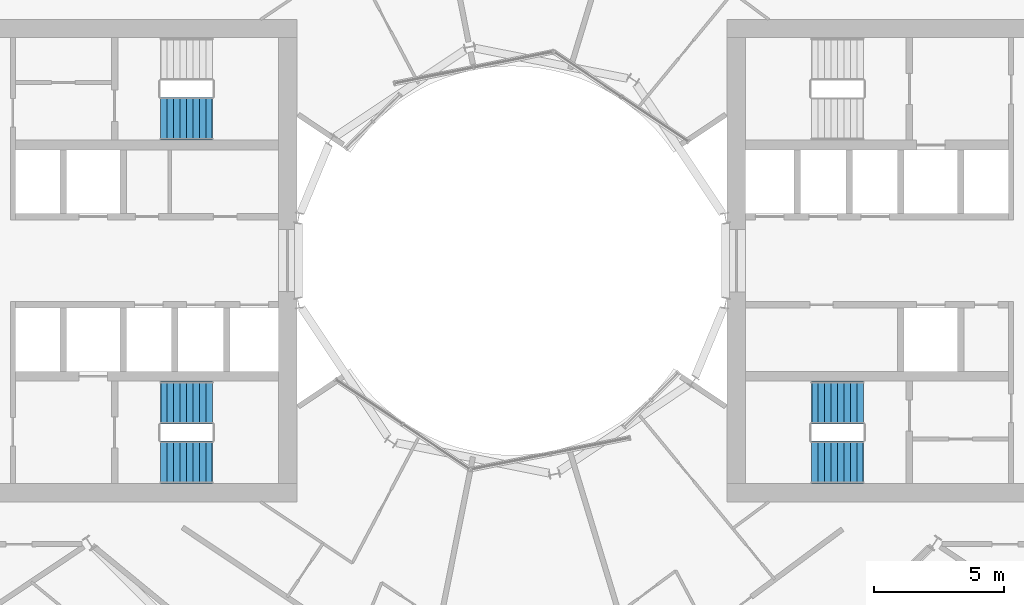
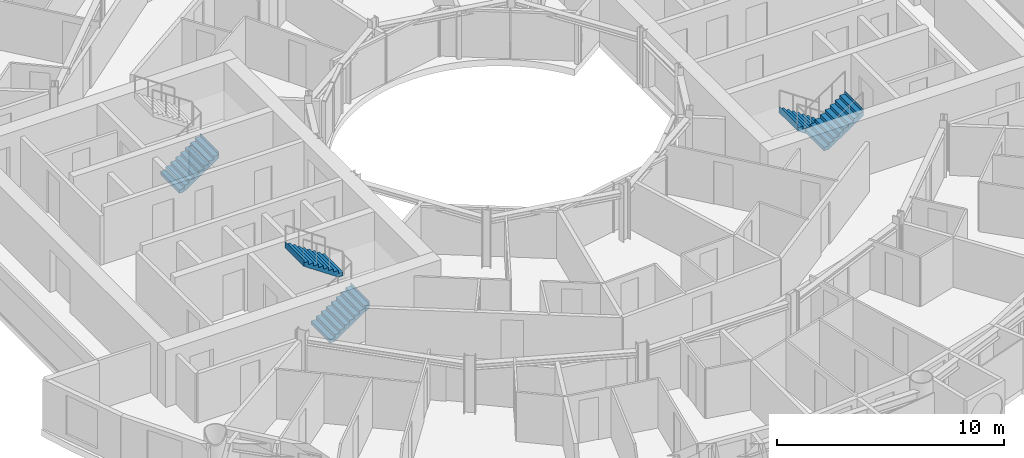
# One storey, part 23 of 25: 5 stair flights, 3 elements without a shape of their own.
"""IFC4 building model written with IfcOpenShell, lengths in metres."""

from ifc_helpers import new_model, si_unit, direction, frame, origin, place, context, subcontext, project, spatial, triangles, material, type_object, element, aggregate, save


model = new_model("IFC4")

# Units and contexts
model_context = context("Model", 3, precision=1e-05, world=origin(), true_north=direction((0.0, 1.0)))
body_context = subcontext(model_context, "Body", "Model", "MODEL_VIEW")
ifc_project = project(units=[si_unit("LENGTHUNIT", "METRE"), si_unit("AREAUNIT", "SQUARE_METRE"), si_unit("VOLUMEUNIT", "CUBIC_METRE"), si_unit("PLANEANGLEUNIT", "RADIAN"), si_unit("MASSUNIT", "GRAM", prefix="KILO")], contexts=[model_context])

# Site, building, storey
site_placement = place(None, origin())
site = spatial("IfcSite", under=ifc_project, at=site_placement, CompositionType="ELEMENT")
building_placement = place(site_placement, origin())
building = spatial("IfcBuilding", under=site, at=building_placement, Name="Maasbend Ring Residences", CompositionType="ELEMENT")
storey_placement = place(building_placement, frame((0.0, 0.0, 94.10009765625)))
storey = spatial("IfcBuildingStorey", under=building, at=storey_placement, Name="L27", CompositionType="ELEMENT", Elevation=94.10009765625)

# Stair, stair flights
ifc_material_1 = material(Name="Concrete C40/50", Category="concrete")
stair_type = type_object("IfcStairType", Name="CORE STAIR 18 RISERS", PredefinedType="HALF_TURN_STAIR", material=ifc_material_1)
stair_1_placement = place(storey_placement, origin())
stair_1 = element("IfcStair", 1, at=stair_1_placement, inside=storey, type_object=stair_type, Name="L27 Exit stair ST-E2", PredefinedType="HALF_TURN_STAIR")
ifc_material_2 = material(Name="Concrete C40/50", Category="concrete")
stair_flight_type = type_object("IfcStairFlightType", Name="CORE STAIR FLIGHT 1650", PredefinedType="STRAIGHT", material=ifc_material_2)
stair_flight_1_placement = place(storey_placement, frame((13.550048828125, -5.47509765625, 0.0), z_axis=(0.0, 0.0, 1.0), x_axis=(-1.0, 0.0, 0.0)))
stair_flight_1 = element("IfcStairFlight", 2, at=stair_flight_1_placement, type_object=stair_flight_type, Name="ST-E2 flight 1", NumberOfRisers=9, NumberOfTreads=8, PredefinedType="STRAIGHT", RiserHeight=0.169444444, TreadLength=0.25, context=body_context, shape_type="Tessellation", body=[
    triangles([(0.24072265625, 0.824951171875, -0.02001953125), (2.0029296875, 0.824951171875, 1.174560546875), (2.0029296875, 0.824951171875, 1.52490234375), (1.989990234375, 0.824951171875, 1.35546875), (1.75, 0.824951171875, 1.35546875), (1.75, 0.824951171875, 1.18603515625), (1.5, 0.824951171875, 1.18603515625), (1.5, 0.824951171875, 1.0166015625), (1.25, 0.824951171875, 1.0166015625), (1.25, 0.824951171875, 0.84716796875), (1.0, 0.824951171875, 0.84716796875), (1.0, 0.824951171875, 0.677734375), (0.75, 0.824951171875, 0.677734375), (0.75, 0.824951171875, 0.50830078125), (0.5, 0.824951171875, 0.50830078125), (0.5, 0.824951171875, 0.3388671875), (0.25, 0.824951171875, 0.3388671875), (0.25, 0.824951171875, 0.16943359375), (0.0, 0.824951171875, 0.16943359375), (0.0, 0.824951171875, 0.0), (-0.0029296875, 0.824951171875, 0.0), (-0.0029296875, 0.824951171875, -0.02001953125), (0.24072265625, 0.27490234375, -0.02001953125), (2.0029296875, 0.27490234375, 1.174560546875), (2.0029296875, 0.27490234375, 1.52490234375), (1.989990234375, 0.27490234375, 1.35546875), (1.75, 0.27490234375, 1.35546875), (1.75, 0.27490234375, 1.18603515625), (1.5, 0.27490234375, 1.18603515625), (1.5, 0.27490234375, 1.0166015625), (1.25, 0.27490234375, 1.0166015625), (1.25, 0.27490234375, 0.84716796875), (1.0, 0.27490234375, 0.84716796875), (1.0, 0.27490234375, 0.677734375), (0.75, 0.27490234375, 0.677734375), (0.75, 0.27490234375, 0.50830078125), (0.5, 0.27490234375, 0.50830078125), (0.5, 0.27490234375, 0.3388671875), (0.25, 0.27490234375, 0.3388671875), (0.25, 0.27490234375, 0.16943359375), (0.0, 0.27490234375, 0.16943359375), (0.0, 0.27490234375, 0.0), (-0.0029296875, 0.27490234375, 0.0), (-0.0029296875, 0.27490234375, -0.02001953125), (0.24072265625, -0.27490234375, -0.02001953125), (2.0029296875, -0.27490234375, 1.174560546875), (2.0029296875, -0.27490234375, 1.52490234375), (1.989990234375, -0.27490234375, 1.35546875), (1.75, -0.27490234375, 1.35546875), (1.75, -0.27490234375, 1.18603515625), (1.5, -0.27490234375, 1.18603515625), (1.5, -0.27490234375, 1.0166015625), (1.25, -0.27490234375, 1.0166015625), (1.25, -0.27490234375, 0.84716796875), (1.0, -0.27490234375, 0.84716796875), (1.0, -0.27490234375, 0.677734375), (0.75, -0.27490234375, 0.677734375), (0.75, -0.27490234375, 0.50830078125), (0.5, -0.27490234375, 0.50830078125), (0.5, -0.27490234375, 0.3388671875), (0.25, -0.27490234375, 0.3388671875), (0.25, -0.27490234375, 0.16943359375), (0.0, -0.27490234375, 0.16943359375), (0.0, -0.27490234375, 0.0), (-0.0029296875, -0.27490234375, 0.0), (-0.0029296875, -0.27490234375, -0.02001953125), (0.24072265625, -0.824951171875, -0.02001953125), (2.0029296875, -0.824951171875, 1.174560546875), (2.0029296875, -0.824951171875, 1.52490234375), (1.989990234375, -0.824951171875, 1.35546875), (1.75, -0.824951171875, 1.35546875), (1.75, -0.824951171875, 1.18603515625), (1.5, -0.824951171875, 1.18603515625), (1.5, -0.824951171875, 1.0166015625), (1.25, -0.824951171875, 1.0166015625), (1.25, -0.824951171875, 0.84716796875), (1.0, -0.824951171875, 0.84716796875), (1.0, -0.824951171875, 0.677734375), (0.75, -0.824951171875, 0.677734375), (0.75, -0.824951171875, 0.50830078125), (0.5, -0.824951171875, 0.50830078125), (0.5, -0.824951171875, 0.3388671875), (0.25, -0.824951171875, 0.3388671875), (0.25, -0.824951171875, 0.16943359375), (0.0, -0.824951171875, 0.16943359375), (0.0, -0.824951171875, 0.0), (-0.0029296875, -0.824951171875, 0.0), (-0.0029296875, -0.824951171875, -0.02001953125)], [[1, 2, 24], [1, 24, 23], [23, 24, 46], [23, 46, 45], [45, 46, 68], [45, 68, 67], [2, 3, 25], [2, 25, 24], [24, 25, 47], [24, 47, 46], [46, 47, 69], [46, 69, 68], [3, 4, 26], [3, 26, 25], [25, 26, 48], [25, 48, 47], [47, 48, 70], [47, 70, 69], [4, 5, 27], [4, 27, 26], [26, 27, 49], [26, 49, 48], [48, 49, 71], [48, 71, 70], [5, 6, 28], [5, 28, 27], [27, 28, 50], [27, 50, 49], [49, 50, 72], [49, 72, 71], [6, 7, 29], [6, 29, 28], [28, 29, 51], [28, 51, 50], [50, 51, 73], [50, 73, 72], [7, 8, 30], [7, 30, 29], [29, 30, 52], [29, 52, 51], [51, 52, 74], [51, 74, 73], [8, 9, 31], [8, 31, 30], [30, 31, 53], [30, 53, 52], [52, 53, 75], [52, 75, 74], [9, 10, 32], [9, 32, 31], [31, 32, 54], [31, 54, 53], [53, 54, 76], [53, 76, 75], [10, 11, 33], [10, 33, 32], [32, 33, 55], [32, 55, 54], [54, 55, 77], [54, 77, 76], [11, 12, 34], [11, 34, 33], [33, 34, 56], [33, 56, 55], [55, 56, 78], [55, 78, 77], [12, 13, 35], [12, 35, 34], [34, 35, 57], [34, 57, 56], [56, 57, 79], [56, 79, 78], [13, 14, 36], [13, 36, 35], [35, 36, 58], [35, 58, 57], [57, 58, 80], [57, 80, 79], [14, 15, 37], [14, 37, 36], [36, 37, 59], [36, 59, 58], [58, 59, 81], [58, 81, 80], [15, 16, 38], [15, 38, 37], [37, 38, 60], [37, 60, 59], [59, 60, 82], [59, 82, 81], [16, 17, 39], [16, 39, 38], [38, 39, 61], [38, 61, 60], [60, 61, 83], [60, 83, 82], [17, 18, 40], [17, 40, 39], [39, 40, 62], [39, 62, 61], [61, 62, 84], [61, 84, 83], [18, 19, 41], [18, 41, 40], [40, 41, 63], [40, 63, 62], [62, 63, 85], [62, 85, 84], [19, 20, 42], [19, 42, 41], [41, 42, 64], [41, 64, 63], [63, 64, 86], [63, 86, 85], [20, 21, 43], [20, 43, 42], [42, 43, 65], [42, 65, 64], [64, 65, 87], [64, 87, 86], [21, 22, 44], [21, 44, 43], [43, 44, 66], [43, 66, 65], [65, 66, 88], [65, 88, 87], [22, 1, 23], [22, 23, 44], [44, 23, 45], [44, 45, 66], [66, 45, 67], [66, 67, 88], [22, 2, 1], [2, 4, 3], [2, 5, 4], [2, 6, 5], [22, 6, 2], [6, 8, 7], [22, 8, 6], [8, 10, 9], [22, 10, 8], [10, 12, 11], [22, 12, 10], [12, 14, 13], [22, 14, 12], [14, 16, 15], [22, 16, 14], [16, 18, 17], [22, 18, 16], [18, 20, 19], [22, 20, 18], [20, 22, 21], [88, 67, 68], [68, 69, 70], [68, 70, 71], [68, 71, 72], [88, 68, 72], [72, 73, 74], [88, 72, 74], [74, 75, 76], [88, 74, 76], [76, 77, 78], [88, 76, 78], [78, 79, 80], [88, 78, 80], [80, 81, 82], [88, 80, 82], [82, 83, 84], [88, 82, 84], [84, 85, 86], [88, 84, 86], [86, 87, 88]], closed=True),
])
stair_flight_2_placement = place(storey_placement, frame((11.550048828125, -7.77490234375, 1.52490234375), z_axis=(0.0, 0.0, 1.0), x_axis=(1.0, 0.0, 0.0)))
stair_flight_2 = element("IfcStairFlight", 3, at=stair_flight_2_placement, type_object=stair_flight_type, Name="ST-E2 flight 2", NumberOfRisers=9, NumberOfTreads=8, PredefinedType="STRAIGHT", RiserHeight=0.169444444, TreadLength=0.25, context=body_context, shape_type="Tessellation", body=[
    triangles([(0.24072265625, 0.824951171875, -0.02001953125), (2.0029296875, 0.824951171875, 1.174560546875), (2.0029296875, 0.824951171875, 1.52490234375), (1.989990234375, 0.824951171875, 1.35546875), (1.75, 0.824951171875, 1.35546875), (1.75, 0.824951171875, 1.18603515625), (1.5, 0.824951171875, 1.18603515625), (1.5, 0.824951171875, 1.0166015625), (1.25, 0.824951171875, 1.0166015625), (1.25, 0.824951171875, 0.84716796875), (1.0, 0.824951171875, 0.84716796875), (1.0, 0.824951171875, 0.677734375), (0.75, 0.824951171875, 0.677734375), (0.75, 0.824951171875, 0.50830078125), (0.5, 0.824951171875, 0.50830078125), (0.5, 0.824951171875, 0.3388671875), (0.25, 0.824951171875, 0.3388671875), (0.25, 0.824951171875, 0.16943359375), (0.0, 0.824951171875, 0.16943359375), (0.0, 0.824951171875, 0.0), (-0.0029296875, 0.824951171875, 0.0), (-0.0029296875, 0.824951171875, -0.02001953125), (0.24072265625, 0.27490234375, -0.02001953125), (2.0029296875, 0.27490234375, 1.174560546875), (2.0029296875, 0.27490234375, 1.52490234375), (1.989990234375, 0.27490234375, 1.35546875), (1.75, 0.27490234375, 1.35546875), (1.75, 0.27490234375, 1.18603515625), (1.5, 0.27490234375, 1.18603515625), (1.5, 0.27490234375, 1.0166015625), (1.25, 0.27490234375, 1.0166015625), (1.25, 0.27490234375, 0.84716796875), (1.0, 0.27490234375, 0.84716796875), (1.0, 0.27490234375, 0.677734375), (0.75, 0.27490234375, 0.677734375), (0.75, 0.27490234375, 0.50830078125), (0.5, 0.27490234375, 0.50830078125), (0.5, 0.27490234375, 0.3388671875), (0.25, 0.27490234375, 0.3388671875), (0.25, 0.27490234375, 0.16943359375), (0.0, 0.27490234375, 0.16943359375), (0.0, 0.27490234375, 0.0), (-0.0029296875, 0.27490234375, 0.0), (-0.0029296875, 0.27490234375, -0.02001953125), (0.24072265625, -0.27490234375, -0.02001953125), (2.0029296875, -0.27490234375, 1.174560546875), (2.0029296875, -0.27490234375, 1.52490234375), (1.989990234375, -0.27490234375, 1.35546875), (1.75, -0.27490234375, 1.35546875), (1.75, -0.27490234375, 1.18603515625), (1.5, -0.27490234375, 1.18603515625), (1.5, -0.27490234375, 1.0166015625), (1.25, -0.27490234375, 1.0166015625), (1.25, -0.27490234375, 0.84716796875), (1.0, -0.27490234375, 0.84716796875), (1.0, -0.27490234375, 0.677734375), (0.75, -0.27490234375, 0.677734375), (0.75, -0.27490234375, 0.50830078125), (0.5, -0.27490234375, 0.50830078125), (0.5, -0.27490234375, 0.3388671875), (0.25, -0.27490234375, 0.3388671875), (0.25, -0.27490234375, 0.16943359375), (0.0, -0.27490234375, 0.16943359375), (0.0, -0.27490234375, 0.0), (-0.0029296875, -0.27490234375, 0.0), (-0.0029296875, -0.27490234375, -0.02001953125), (0.24072265625, -0.824951171875, -0.02001953125), (2.0029296875, -0.824951171875, 1.174560546875), (2.0029296875, -0.824951171875, 1.52490234375), (1.989990234375, -0.824951171875, 1.35546875), (1.75, -0.824951171875, 1.35546875), (1.75, -0.824951171875, 1.18603515625), (1.5, -0.824951171875, 1.18603515625), (1.5, -0.824951171875, 1.0166015625), (1.25, -0.824951171875, 1.0166015625), (1.25, -0.824951171875, 0.84716796875), (1.0, -0.824951171875, 0.84716796875), (1.0, -0.824951171875, 0.677734375), (0.75, -0.824951171875, 0.677734375), (0.75, -0.824951171875, 0.50830078125), (0.5, -0.824951171875, 0.50830078125), (0.5, -0.824951171875, 0.3388671875), (0.25, -0.824951171875, 0.3388671875), (0.25, -0.824951171875, 0.16943359375), (0.0, -0.824951171875, 0.16943359375), (0.0, -0.824951171875, 0.0), (-0.0029296875, -0.824951171875, 0.0), (-0.0029296875, -0.824951171875, -0.02001953125)], [[1, 2, 24], [1, 24, 23], [23, 24, 46], [23, 46, 45], [45, 46, 68], [45, 68, 67], [2, 3, 25], [2, 25, 24], [24, 25, 47], [24, 47, 46], [46, 47, 69], [46, 69, 68], [3, 4, 26], [3, 26, 25], [25, 26, 48], [25, 48, 47], [47, 48, 70], [47, 70, 69], [4, 5, 27], [4, 27, 26], [26, 27, 49], [26, 49, 48], [48, 49, 71], [48, 71, 70], [5, 6, 28], [5, 28, 27], [27, 28, 50], [27, 50, 49], [49, 50, 72], [49, 72, 71], [6, 7, 29], [6, 29, 28], [28, 29, 51], [28, 51, 50], [50, 51, 73], [50, 73, 72], [7, 8, 30], [7, 30, 29], [29, 30, 52], [29, 52, 51], [51, 52, 74], [51, 74, 73], [8, 9, 31], [8, 31, 30], [30, 31, 53], [30, 53, 52], [52, 53, 75], [52, 75, 74], [9, 10, 32], [9, 32, 31], [31, 32, 54], [31, 54, 53], [53, 54, 76], [53, 76, 75], [10, 11, 33], [10, 33, 32], [32, 33, 55], [32, 55, 54], [54, 55, 77], [54, 77, 76], [11, 12, 34], [11, 34, 33], [33, 34, 56], [33, 56, 55], [55, 56, 78], [55, 78, 77], [12, 13, 35], [12, 35, 34], [34, 35, 57], [34, 57, 56], [56, 57, 79], [56, 79, 78], [13, 14, 36], [13, 36, 35], [35, 36, 58], [35, 58, 57], [57, 58, 80], [57, 80, 79], [14, 15, 37], [14, 37, 36], [36, 37, 59], [36, 59, 58], [58, 59, 81], [58, 81, 80], [15, 16, 38], [15, 38, 37], [37, 38, 60], [37, 60, 59], [59, 60, 82], [59, 82, 81], [16, 17, 39], [16, 39, 38], [38, 39, 61], [38, 61, 60], [60, 61, 83], [60, 83, 82], [17, 18, 40], [17, 40, 39], [39, 40, 62], [39, 62, 61], [61, 62, 84], [61, 84, 83], [18, 19, 41], [18, 41, 40], [40, 41, 63], [40, 63, 62], [62, 63, 85], [62, 85, 84], [19, 20, 42], [19, 42, 41], [41, 42, 64], [41, 64, 63], [63, 64, 86], [63, 86, 85], [20, 21, 43], [20, 43, 42], [42, 43, 65], [42, 65, 64], [64, 65, 87], [64, 87, 86], [21, 22, 44], [21, 44, 43], [43, 44, 66], [43, 66, 65], [65, 66, 88], [65, 88, 87], [22, 1, 23], [22, 23, 44], [44, 23, 45], [44, 45, 66], [66, 45, 67], [66, 67, 88], [22, 2, 1], [2, 4, 3], [2, 5, 4], [2, 6, 5], [22, 6, 2], [6, 8, 7], [22, 8, 6], [8, 10, 9], [22, 10, 8], [10, 12, 11], [22, 12, 10], [12, 14, 13], [22, 14, 12], [14, 16, 15], [22, 16, 14], [16, 18, 17], [22, 18, 16], [18, 20, 19], [22, 20, 18], [20, 22, 21], [88, 67, 68], [68, 69, 70], [68, 70, 71], [68, 71, 72], [88, 68, 72], [72, 73, 74], [88, 72, 74], [74, 75, 76], [88, 74, 76], [76, 77, 78], [88, 76, 78], [78, 79, 80], [88, 78, 80], [80, 81, 82], [88, 80, 82], [82, 83, 84], [88, 82, 84], [84, 85, 86], [88, 84, 86], [86, 87, 88]], closed=True),
])
aggregate(stair_1, [stair_flight_1, stair_flight_2])

stair_2_placement = place(storey_placement, origin())
stair_2 = element("IfcStair", 4, at=stair_2_placement, inside=storey, type_object=stair_type, Name="L27 Exit stair ST-W1", PredefinedType="HALF_TURN_STAIR")
stair_flight_3_placement = place(storey_placement, frame((-13.550048828125, -7.77490234375, 0.0), z_axis=(0.0, 0.0, 1.0), x_axis=(1.0, 0.0, 0.0)))
stair_flight_3 = element("IfcStairFlight", 5, at=stair_flight_3_placement, type_object=stair_flight_type, Name="ST-W1 flight 1", NumberOfRisers=9, NumberOfTreads=8, PredefinedType="STRAIGHT", RiserHeight=0.169444444, TreadLength=0.25, context=body_context, shape_type="Tessellation", body=[
    triangles([(0.24072265625, 0.824951171875, -0.02001953125), (2.0029296875, 0.824951171875, 1.174560546875), (2.0029296875, 0.824951171875, 1.52490234375), (1.989990234375, 0.824951171875, 1.35546875), (1.75, 0.824951171875, 1.35546875), (1.75, 0.824951171875, 1.18603515625), (1.5, 0.824951171875, 1.18603515625), (1.5, 0.824951171875, 1.0166015625), (1.25, 0.824951171875, 1.0166015625), (1.25, 0.824951171875, 0.84716796875), (1.0, 0.824951171875, 0.84716796875), (1.0, 0.824951171875, 0.677734375), (0.75, 0.824951171875, 0.677734375), (0.75, 0.824951171875, 0.50830078125), (0.5, 0.824951171875, 0.50830078125), (0.5, 0.824951171875, 0.3388671875), (0.25, 0.824951171875, 0.3388671875), (0.25, 0.824951171875, 0.16943359375), (0.0, 0.824951171875, 0.16943359375), (0.0, 0.824951171875, 0.0), (-0.0029296875, 0.824951171875, 0.0), (-0.0029296875, 0.824951171875, -0.02001953125), (0.24072265625, 0.27490234375, -0.02001953125), (2.0029296875, 0.27490234375, 1.174560546875), (2.0029296875, 0.27490234375, 1.52490234375), (1.989990234375, 0.27490234375, 1.35546875), (1.75, 0.27490234375, 1.35546875), (1.75, 0.27490234375, 1.18603515625), (1.5, 0.27490234375, 1.18603515625), (1.5, 0.27490234375, 1.0166015625), (1.25, 0.27490234375, 1.0166015625), (1.25, 0.27490234375, 0.84716796875), (1.0, 0.27490234375, 0.84716796875), (1.0, 0.27490234375, 0.677734375), (0.75, 0.27490234375, 0.677734375), (0.75, 0.27490234375, 0.50830078125), (0.5, 0.27490234375, 0.50830078125), (0.5, 0.27490234375, 0.3388671875), (0.25, 0.27490234375, 0.3388671875), (0.25, 0.27490234375, 0.16943359375), (0.0, 0.27490234375, 0.16943359375), (0.0, 0.27490234375, 0.0), (-0.0029296875, 0.27490234375, 0.0), (-0.0029296875, 0.27490234375, -0.02001953125), (0.24072265625, -0.27490234375, -0.02001953125), (2.0029296875, -0.27490234375, 1.174560546875), (2.0029296875, -0.27490234375, 1.52490234375), (1.989990234375, -0.27490234375, 1.35546875), (1.75, -0.27490234375, 1.35546875), (1.75, -0.27490234375, 1.18603515625), (1.5, -0.27490234375, 1.18603515625), (1.5, -0.27490234375, 1.0166015625), (1.25, -0.27490234375, 1.0166015625), (1.25, -0.27490234375, 0.84716796875), (1.0, -0.27490234375, 0.84716796875), (1.0, -0.27490234375, 0.677734375), (0.75, -0.27490234375, 0.677734375), (0.75, -0.27490234375, 0.50830078125), (0.5, -0.27490234375, 0.50830078125), (0.5, -0.27490234375, 0.3388671875), (0.25, -0.27490234375, 0.3388671875), (0.25, -0.27490234375, 0.16943359375), (0.0, -0.27490234375, 0.16943359375), (0.0, -0.27490234375, 0.0), (-0.0029296875, -0.27490234375, 0.0), (-0.0029296875, -0.27490234375, -0.02001953125), (0.24072265625, -0.824951171875, -0.02001953125), (2.0029296875, -0.824951171875, 1.174560546875), (2.0029296875, -0.824951171875, 1.52490234375), (1.989990234375, -0.824951171875, 1.35546875), (1.75, -0.824951171875, 1.35546875), (1.75, -0.824951171875, 1.18603515625), (1.5, -0.824951171875, 1.18603515625), (1.5, -0.824951171875, 1.0166015625), (1.25, -0.824951171875, 1.0166015625), (1.25, -0.824951171875, 0.84716796875), (1.0, -0.824951171875, 0.84716796875), (1.0, -0.824951171875, 0.677734375), (0.75, -0.824951171875, 0.677734375), (0.75, -0.824951171875, 0.50830078125), (0.5, -0.824951171875, 0.50830078125), (0.5, -0.824951171875, 0.3388671875), (0.25, -0.824951171875, 0.3388671875), (0.25, -0.824951171875, 0.16943359375), (0.0, -0.824951171875, 0.16943359375), (0.0, -0.824951171875, 0.0), (-0.0029296875, -0.824951171875, 0.0), (-0.0029296875, -0.824951171875, -0.02001953125)], [[1, 2, 24], [1, 24, 23], [23, 24, 46], [23, 46, 45], [45, 46, 68], [45, 68, 67], [2, 3, 25], [2, 25, 24], [24, 25, 47], [24, 47, 46], [46, 47, 69], [46, 69, 68], [3, 4, 26], [3, 26, 25], [25, 26, 48], [25, 48, 47], [47, 48, 70], [47, 70, 69], [4, 5, 27], [4, 27, 26], [26, 27, 49], [26, 49, 48], [48, 49, 71], [48, 71, 70], [5, 6, 28], [5, 28, 27], [27, 28, 50], [27, 50, 49], [49, 50, 72], [49, 72, 71], [6, 7, 29], [6, 29, 28], [28, 29, 51], [28, 51, 50], [50, 51, 73], [50, 73, 72], [7, 8, 30], [7, 30, 29], [29, 30, 52], [29, 52, 51], [51, 52, 74], [51, 74, 73], [8, 9, 31], [8, 31, 30], [30, 31, 53], [30, 53, 52], [52, 53, 75], [52, 75, 74], [9, 10, 32], [9, 32, 31], [31, 32, 54], [31, 54, 53], [53, 54, 76], [53, 76, 75], [10, 11, 33], [10, 33, 32], [32, 33, 55], [32, 55, 54], [54, 55, 77], [54, 77, 76], [11, 12, 34], [11, 34, 33], [33, 34, 56], [33, 56, 55], [55, 56, 78], [55, 78, 77], [12, 13, 35], [12, 35, 34], [34, 35, 57], [34, 57, 56], [56, 57, 79], [56, 79, 78], [13, 14, 36], [13, 36, 35], [35, 36, 58], [35, 58, 57], [57, 58, 80], [57, 80, 79], [14, 15, 37], [14, 37, 36], [36, 37, 59], [36, 59, 58], [58, 59, 81], [58, 81, 80], [15, 16, 38], [15, 38, 37], [37, 38, 60], [37, 60, 59], [59, 60, 82], [59, 82, 81], [16, 17, 39], [16, 39, 38], [38, 39, 61], [38, 61, 60], [60, 61, 83], [60, 83, 82], [17, 18, 40], [17, 40, 39], [39, 40, 62], [39, 62, 61], [61, 62, 84], [61, 84, 83], [18, 19, 41], [18, 41, 40], [40, 41, 63], [40, 63, 62], [62, 63, 85], [62, 85, 84], [19, 20, 42], [19, 42, 41], [41, 42, 64], [41, 64, 63], [63, 64, 86], [63, 86, 85], [20, 21, 43], [20, 43, 42], [42, 43, 65], [42, 65, 64], [64, 65, 87], [64, 87, 86], [21, 22, 44], [21, 44, 43], [43, 44, 66], [43, 66, 65], [65, 66, 88], [65, 88, 87], [22, 1, 23], [22, 23, 44], [44, 23, 45], [44, 45, 66], [66, 45, 67], [66, 67, 88], [22, 2, 1], [2, 4, 3], [2, 5, 4], [2, 6, 5], [22, 6, 2], [6, 8, 7], [22, 8, 6], [8, 10, 9], [22, 10, 8], [10, 12, 11], [22, 12, 10], [12, 14, 13], [22, 14, 12], [14, 16, 15], [22, 16, 14], [16, 18, 17], [22, 18, 16], [18, 20, 19], [22, 20, 18], [20, 22, 21], [88, 67, 68], [68, 69, 70], [68, 70, 71], [68, 71, 72], [88, 68, 72], [72, 73, 74], [88, 72, 74], [74, 75, 76], [88, 74, 76], [76, 77, 78], [88, 76, 78], [78, 79, 80], [88, 78, 80], [80, 81, 82], [88, 80, 82], [82, 83, 84], [88, 82, 84], [84, 85, 86], [88, 84, 86], [86, 87, 88]], closed=True),
])
stair_flight_4_placement = place(storey_placement, frame((-11.550048828125, -5.47509765625, 1.52490234375), z_axis=(0.0, 0.0, 1.0), x_axis=(-1.0, 0.0, 0.0)))
stair_flight_4 = element("IfcStairFlight", 6, at=stair_flight_4_placement, type_object=stair_flight_type, Name="ST-W1 flight 2", NumberOfRisers=9, NumberOfTreads=8, PredefinedType="STRAIGHT", RiserHeight=0.169444444, TreadLength=0.25, context=body_context, shape_type="Tessellation", body=[
    triangles([(0.24072265625, 0.824951171875, -0.02001953125), (2.0029296875, 0.824951171875, 1.174560546875), (2.0029296875, 0.824951171875, 1.52490234375), (1.989990234375, 0.824951171875, 1.35546875), (1.75, 0.824951171875, 1.35546875), (1.75, 0.824951171875, 1.18603515625), (1.5, 0.824951171875, 1.18603515625), (1.5, 0.824951171875, 1.0166015625), (1.25, 0.824951171875, 1.0166015625), (1.25, 0.824951171875, 0.84716796875), (1.0, 0.824951171875, 0.84716796875), (1.0, 0.824951171875, 0.677734375), (0.75, 0.824951171875, 0.677734375), (0.75, 0.824951171875, 0.50830078125), (0.5, 0.824951171875, 0.50830078125), (0.5, 0.824951171875, 0.3388671875), (0.25, 0.824951171875, 0.3388671875), (0.25, 0.824951171875, 0.16943359375), (0.0, 0.824951171875, 0.16943359375), (0.0, 0.824951171875, 0.0), (-0.0029296875, 0.824951171875, 0.0), (-0.0029296875, 0.824951171875, -0.02001953125), (0.24072265625, 0.27490234375, -0.02001953125), (2.0029296875, 0.27490234375, 1.174560546875), (2.0029296875, 0.27490234375, 1.52490234375), (1.989990234375, 0.27490234375, 1.35546875), (1.75, 0.27490234375, 1.35546875), (1.75, 0.27490234375, 1.18603515625), (1.5, 0.27490234375, 1.18603515625), (1.5, 0.27490234375, 1.0166015625), (1.25, 0.27490234375, 1.0166015625), (1.25, 0.27490234375, 0.84716796875), (1.0, 0.27490234375, 0.84716796875), (1.0, 0.27490234375, 0.677734375), (0.75, 0.27490234375, 0.677734375), (0.75, 0.27490234375, 0.50830078125), (0.5, 0.27490234375, 0.50830078125), (0.5, 0.27490234375, 0.3388671875), (0.25, 0.27490234375, 0.3388671875), (0.25, 0.27490234375, 0.16943359375), (0.0, 0.27490234375, 0.16943359375), (0.0, 0.27490234375, 0.0), (-0.0029296875, 0.27490234375, 0.0), (-0.0029296875, 0.27490234375, -0.02001953125), (0.24072265625, -0.27490234375, -0.02001953125), (2.0029296875, -0.27490234375, 1.174560546875), (2.0029296875, -0.27490234375, 1.52490234375), (1.989990234375, -0.27490234375, 1.35546875), (1.75, -0.27490234375, 1.35546875), (1.75, -0.27490234375, 1.18603515625), (1.5, -0.27490234375, 1.18603515625), (1.5, -0.27490234375, 1.0166015625), (1.25, -0.27490234375, 1.0166015625), (1.25, -0.27490234375, 0.84716796875), (1.0, -0.27490234375, 0.84716796875), (1.0, -0.27490234375, 0.677734375), (0.75, -0.27490234375, 0.677734375), (0.75, -0.27490234375, 0.50830078125), (0.5, -0.27490234375, 0.50830078125), (0.5, -0.27490234375, 0.3388671875), (0.25, -0.27490234375, 0.3388671875), (0.25, -0.27490234375, 0.16943359375), (0.0, -0.27490234375, 0.16943359375), (0.0, -0.27490234375, 0.0), (-0.0029296875, -0.27490234375, 0.0), (-0.0029296875, -0.27490234375, -0.02001953125), (0.24072265625, -0.824951171875, -0.02001953125), (2.0029296875, -0.824951171875, 1.174560546875), (2.0029296875, -0.824951171875, 1.52490234375), (1.989990234375, -0.824951171875, 1.35546875), (1.75, -0.824951171875, 1.35546875), (1.75, -0.824951171875, 1.18603515625), (1.5, -0.824951171875, 1.18603515625), (1.5, -0.824951171875, 1.0166015625), (1.25, -0.824951171875, 1.0166015625), (1.25, -0.824951171875, 0.84716796875), (1.0, -0.824951171875, 0.84716796875), (1.0, -0.824951171875, 0.677734375), (0.75, -0.824951171875, 0.677734375), (0.75, -0.824951171875, 0.50830078125), (0.5, -0.824951171875, 0.50830078125), (0.5, -0.824951171875, 0.3388671875), (0.25, -0.824951171875, 0.3388671875), (0.25, -0.824951171875, 0.16943359375), (0.0, -0.824951171875, 0.16943359375), (0.0, -0.824951171875, 0.0), (-0.0029296875, -0.824951171875, 0.0), (-0.0029296875, -0.824951171875, -0.02001953125)], [[1, 2, 24], [1, 24, 23], [23, 24, 46], [23, 46, 45], [45, 46, 68], [45, 68, 67], [2, 3, 25], [2, 25, 24], [24, 25, 47], [24, 47, 46], [46, 47, 69], [46, 69, 68], [3, 4, 26], [3, 26, 25], [25, 26, 48], [25, 48, 47], [47, 48, 70], [47, 70, 69], [4, 5, 27], [4, 27, 26], [26, 27, 49], [26, 49, 48], [48, 49, 71], [48, 71, 70], [5, 6, 28], [5, 28, 27], [27, 28, 50], [27, 50, 49], [49, 50, 72], [49, 72, 71], [6, 7, 29], [6, 29, 28], [28, 29, 51], [28, 51, 50], [50, 51, 73], [50, 73, 72], [7, 8, 30], [7, 30, 29], [29, 30, 52], [29, 52, 51], [51, 52, 74], [51, 74, 73], [8, 9, 31], [8, 31, 30], [30, 31, 53], [30, 53, 52], [52, 53, 75], [52, 75, 74], [9, 10, 32], [9, 32, 31], [31, 32, 54], [31, 54, 53], [53, 54, 76], [53, 76, 75], [10, 11, 33], [10, 33, 32], [32, 33, 55], [32, 55, 54], [54, 55, 77], [54, 77, 76], [11, 12, 34], [11, 34, 33], [33, 34, 56], [33, 56, 55], [55, 56, 78], [55, 78, 77], [12, 13, 35], [12, 35, 34], [34, 35, 57], [34, 57, 56], [56, 57, 79], [56, 79, 78], [13, 14, 36], [13, 36, 35], [35, 36, 58], [35, 58, 57], [57, 58, 80], [57, 80, 79], [14, 15, 37], [14, 37, 36], [36, 37, 59], [36, 59, 58], [58, 59, 81], [58, 81, 80], [15, 16, 38], [15, 38, 37], [37, 38, 60], [37, 60, 59], [59, 60, 82], [59, 82, 81], [16, 17, 39], [16, 39, 38], [38, 39, 61], [38, 61, 60], [60, 61, 83], [60, 83, 82], [17, 18, 40], [17, 40, 39], [39, 40, 62], [39, 62, 61], [61, 62, 84], [61, 84, 83], [18, 19, 41], [18, 41, 40], [40, 41, 63], [40, 63, 62], [62, 63, 85], [62, 85, 84], [19, 20, 42], [19, 42, 41], [41, 42, 64], [41, 64, 63], [63, 64, 86], [63, 86, 85], [20, 21, 43], [20, 43, 42], [42, 43, 65], [42, 65, 64], [64, 65, 87], [64, 87, 86], [21, 22, 44], [21, 44, 43], [43, 44, 66], [43, 66, 65], [65, 66, 88], [65, 88, 87], [22, 1, 23], [22, 23, 44], [44, 23, 45], [44, 45, 66], [66, 45, 67], [66, 67, 88], [22, 2, 1], [2, 4, 3], [2, 5, 4], [2, 6, 5], [22, 6, 2], [6, 8, 7], [22, 8, 6], [8, 10, 9], [22, 10, 8], [10, 12, 11], [22, 12, 10], [12, 14, 13], [22, 14, 12], [14, 16, 15], [22, 16, 14], [16, 18, 17], [22, 18, 16], [18, 20, 19], [22, 20, 18], [20, 22, 21], [88, 67, 68], [68, 69, 70], [68, 70, 71], [68, 71, 72], [88, 68, 72], [72, 73, 74], [88, 72, 74], [74, 75, 76], [88, 74, 76], [76, 77, 78], [88, 76, 78], [78, 79, 80], [88, 78, 80], [80, 81, 82], [88, 80, 82], [82, 83, 84], [88, 82, 84], [84, 85, 86], [88, 84, 86], [86, 87, 88]], closed=True),
])
aggregate(stair_2, [stair_flight_3, stair_flight_4])

# Stair, stair flight
stair_3_placement = place(storey_placement, origin())
stair_3 = element("IfcStair", 7, at=stair_3_placement, inside=storey, type_object=stair_type, Name="L27 Exit stair ST-W2", PredefinedType="HALF_TURN_STAIR")
stair_flight_5_placement = place(storey_placement, frame((-13.550048828125, 5.47509765625, 0.0), z_axis=(0.0, 0.0, 1.0), x_axis=(1.0, 0.0, 0.0)))
stair_flight_5 = element("IfcStairFlight", 8, at=stair_flight_5_placement, type_object=stair_flight_type, Name="ST-W2 flight 1", NumberOfRisers=9, NumberOfTreads=8, PredefinedType="STRAIGHT", RiserHeight=0.169444444, TreadLength=0.25, context=body_context, shape_type="Tessellation", body=[
    triangles([(0.24072265625, 0.824951171875, -0.02001953125), (2.0029296875, 0.824951171875, 1.174560546875), (2.0029296875, 0.824951171875, 1.52490234375), (1.989990234375, 0.824951171875, 1.35546875), (1.75, 0.824951171875, 1.35546875), (1.75, 0.824951171875, 1.18603515625), (1.5, 0.824951171875, 1.18603515625), (1.5, 0.824951171875, 1.0166015625), (1.25, 0.824951171875, 1.0166015625), (1.25, 0.824951171875, 0.84716796875), (1.0, 0.824951171875, 0.84716796875), (1.0, 0.824951171875, 0.677734375), (0.75, 0.824951171875, 0.677734375), (0.75, 0.824951171875, 0.50830078125), (0.5, 0.824951171875, 0.50830078125), (0.5, 0.824951171875, 0.3388671875), (0.25, 0.824951171875, 0.3388671875), (0.25, 0.824951171875, 0.16943359375), (0.0, 0.824951171875, 0.16943359375), (0.0, 0.824951171875, 0.0), (-0.0029296875, 0.824951171875, 0.0), (-0.0029296875, 0.824951171875, -0.02001953125), (0.24072265625, 0.27490234375, -0.02001953125), (2.0029296875, 0.27490234375, 1.174560546875), (2.0029296875, 0.27490234375, 1.52490234375), (1.989990234375, 0.27490234375, 1.35546875), (1.75, 0.27490234375, 1.35546875), (1.75, 0.27490234375, 1.18603515625), (1.5, 0.27490234375, 1.18603515625), (1.5, 0.27490234375, 1.0166015625), (1.25, 0.27490234375, 1.0166015625), (1.25, 0.27490234375, 0.84716796875), (1.0, 0.27490234375, 0.84716796875), (1.0, 0.27490234375, 0.677734375), (0.75, 0.27490234375, 0.677734375), (0.75, 0.27490234375, 0.50830078125), (0.5, 0.27490234375, 0.50830078125), (0.5, 0.27490234375, 0.3388671875), (0.25, 0.27490234375, 0.3388671875), (0.25, 0.27490234375, 0.16943359375), (0.0, 0.27490234375, 0.16943359375), (0.0, 0.27490234375, 0.0), (-0.0029296875, 0.27490234375, 0.0), (-0.0029296875, 0.27490234375, -0.02001953125), (0.24072265625, -0.27490234375, -0.02001953125), (2.0029296875, -0.27490234375, 1.174560546875), (2.0029296875, -0.27490234375, 1.52490234375), (1.989990234375, -0.27490234375, 1.35546875), (1.75, -0.27490234375, 1.35546875), (1.75, -0.27490234375, 1.18603515625), (1.5, -0.27490234375, 1.18603515625), (1.5, -0.27490234375, 1.0166015625), (1.25, -0.27490234375, 1.0166015625), (1.25, -0.27490234375, 0.84716796875), (1.0, -0.27490234375, 0.84716796875), (1.0, -0.27490234375, 0.677734375), (0.75, -0.27490234375, 0.677734375), (0.75, -0.27490234375, 0.50830078125), (0.5, -0.27490234375, 0.50830078125), (0.5, -0.27490234375, 0.3388671875), (0.25, -0.27490234375, 0.3388671875), (0.25, -0.27490234375, 0.16943359375), (0.0, -0.27490234375, 0.16943359375), (0.0, -0.27490234375, 0.0), (-0.0029296875, -0.27490234375, 0.0), (-0.0029296875, -0.27490234375, -0.02001953125), (0.24072265625, -0.824951171875, -0.02001953125), (2.0029296875, -0.824951171875, 1.174560546875), (2.0029296875, -0.824951171875, 1.52490234375), (1.989990234375, -0.824951171875, 1.35546875), (1.75, -0.824951171875, 1.35546875), (1.75, -0.824951171875, 1.18603515625), (1.5, -0.824951171875, 1.18603515625), (1.5, -0.824951171875, 1.0166015625), (1.25, -0.824951171875, 1.0166015625), (1.25, -0.824951171875, 0.84716796875), (1.0, -0.824951171875, 0.84716796875), (1.0, -0.824951171875, 0.677734375), (0.75, -0.824951171875, 0.677734375), (0.75, -0.824951171875, 0.50830078125), (0.5, -0.824951171875, 0.50830078125), (0.5, -0.824951171875, 0.3388671875), (0.25, -0.824951171875, 0.3388671875), (0.25, -0.824951171875, 0.16943359375), (0.0, -0.824951171875, 0.16943359375), (0.0, -0.824951171875, 0.0), (-0.0029296875, -0.824951171875, 0.0), (-0.0029296875, -0.824951171875, -0.02001953125)], [[1, 2, 24], [1, 24, 23], [23, 24, 46], [23, 46, 45], [45, 46, 68], [45, 68, 67], [2, 3, 25], [2, 25, 24], [24, 25, 47], [24, 47, 46], [46, 47, 69], [46, 69, 68], [3, 4, 26], [3, 26, 25], [25, 26, 48], [25, 48, 47], [47, 48, 70], [47, 70, 69], [4, 5, 27], [4, 27, 26], [26, 27, 49], [26, 49, 48], [48, 49, 71], [48, 71, 70], [5, 6, 28], [5, 28, 27], [27, 28, 50], [27, 50, 49], [49, 50, 72], [49, 72, 71], [6, 7, 29], [6, 29, 28], [28, 29, 51], [28, 51, 50], [50, 51, 73], [50, 73, 72], [7, 8, 30], [7, 30, 29], [29, 30, 52], [29, 52, 51], [51, 52, 74], [51, 74, 73], [8, 9, 31], [8, 31, 30], [30, 31, 53], [30, 53, 52], [52, 53, 75], [52, 75, 74], [9, 10, 32], [9, 32, 31], [31, 32, 54], [31, 54, 53], [53, 54, 76], [53, 76, 75], [10, 11, 33], [10, 33, 32], [32, 33, 55], [32, 55, 54], [54, 55, 77], [54, 77, 76], [11, 12, 34], [11, 34, 33], [33, 34, 56], [33, 56, 55], [55, 56, 78], [55, 78, 77], [12, 13, 35], [12, 35, 34], [34, 35, 57], [34, 57, 56], [56, 57, 79], [56, 79, 78], [13, 14, 36], [13, 36, 35], [35, 36, 58], [35, 58, 57], [57, 58, 80], [57, 80, 79], [14, 15, 37], [14, 37, 36], [36, 37, 59], [36, 59, 58], [58, 59, 81], [58, 81, 80], [15, 16, 38], [15, 38, 37], [37, 38, 60], [37, 60, 59], [59, 60, 82], [59, 82, 81], [16, 17, 39], [16, 39, 38], [38, 39, 61], [38, 61, 60], [60, 61, 83], [60, 83, 82], [17, 18, 40], [17, 40, 39], [39, 40, 62], [39, 62, 61], [61, 62, 84], [61, 84, 83], [18, 19, 41], [18, 41, 40], [40, 41, 63], [40, 63, 62], [62, 63, 85], [62, 85, 84], [19, 20, 42], [19, 42, 41], [41, 42, 64], [41, 64, 63], [63, 64, 86], [63, 86, 85], [20, 21, 43], [20, 43, 42], [42, 43, 65], [42, 65, 64], [64, 65, 87], [64, 87, 86], [21, 22, 44], [21, 44, 43], [43, 44, 66], [43, 66, 65], [65, 66, 88], [65, 88, 87], [22, 1, 23], [22, 23, 44], [44, 23, 45], [44, 45, 66], [66, 45, 67], [66, 67, 88], [22, 2, 1], [2, 4, 3], [2, 5, 4], [2, 6, 5], [22, 6, 2], [6, 8, 7], [22, 8, 6], [8, 10, 9], [22, 10, 8], [10, 12, 11], [22, 12, 10], [12, 14, 13], [22, 14, 12], [14, 16, 15], [22, 16, 14], [16, 18, 17], [22, 18, 16], [18, 20, 19], [22, 20, 18], [20, 22, 21], [88, 67, 68], [68, 69, 70], [68, 70, 71], [68, 71, 72], [88, 68, 72], [72, 73, 74], [88, 72, 74], [74, 75, 76], [88, 74, 76], [76, 77, 78], [88, 76, 78], [78, 79, 80], [88, 78, 80], [80, 81, 82], [88, 80, 82], [82, 83, 84], [88, 82, 84], [84, 85, 86], [88, 84, 86], [86, 87, 88]], closed=True),
])
aggregate(stair_3, [stair_flight_5])

save(model, "model.ifc")
